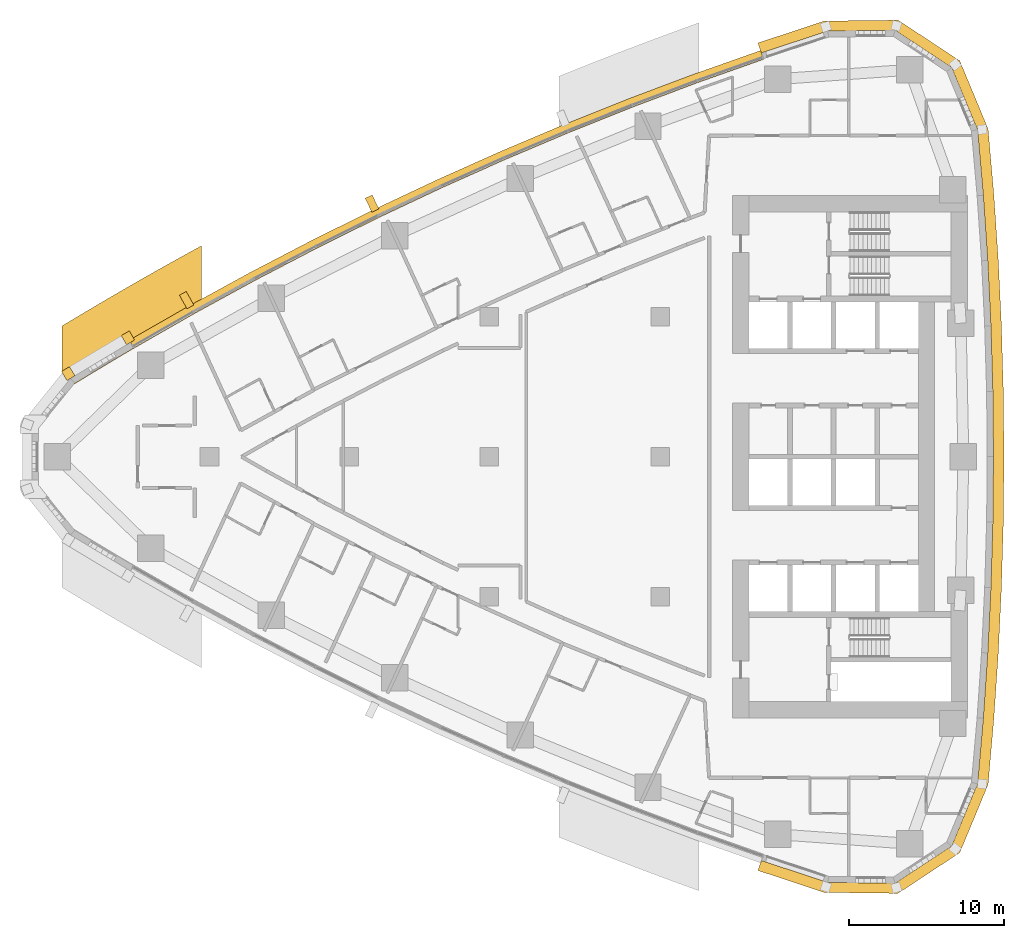
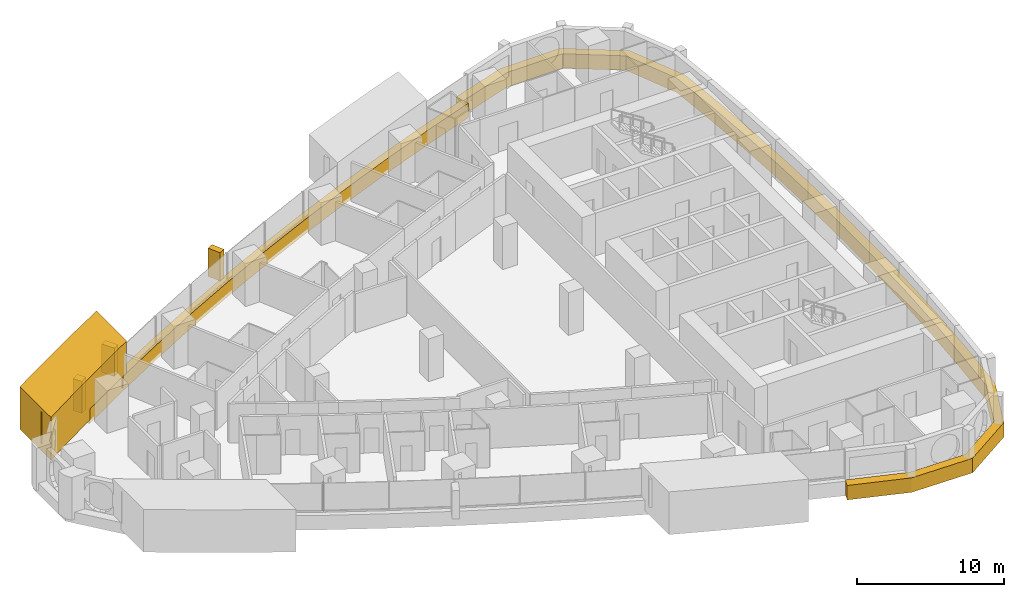
# One storey, part 16 of 17: 7 coverings.
"""IFC4 building model written with IfcOpenShell, lengths in metres."""

from ifc_helpers import new_model, si_unit, direction, frame, frame_2d, origin, place, context, subcontext, project, spatial, polyline, rectangle, outline, extrude, material, layer, layer_set, type_object, element, save


model = new_model("IFC4")

# Units and contexts
model_context = context("Model", 3, precision=1e-05, world=origin(), true_north=direction((0.0, 1.0)))
body_context = subcontext(model_context, "Body", "Model", "MODEL_VIEW")
ifc_project = project(units=[si_unit("LENGTHUNIT", "METRE"), si_unit("AREAUNIT", "SQUARE_METRE"), si_unit("VOLUMEUNIT", "CUBIC_METRE"), si_unit("PLANEANGLEUNIT", "RADIAN"), si_unit("MASSUNIT", "GRAM", prefix="KILO")], contexts=[model_context])

# Site, building, storey
site_placement = place(None, origin())
site = spatial("IfcSite", under=ifc_project, at=site_placement, CompositionType="ELEMENT")
building_placement = place(site_placement, origin())
building = spatial("IfcBuilding", under=site, at=building_placement, Name="Ostrand Prow Hotel Tower", CompositionType="ELEMENT")
storey_placement = place(building_placement, frame((0.0, 0.0, 99.10009765625)))
storey = spatial("IfcBuildingStorey", under=building, at=storey_placement, Name="L23", CompositionType="ELEMENT", Elevation=99.10009765625)

# Coverings
ifc_material_1 = material(Name="Bronze anodised aluminium cladding", Category="aluminium")
ifc_layer_1 = layer(ifc_material_1, 0.60009765625)
ifc_layer_set_1 = layer_set([ifc_layer_1], Name="Bronze anodised aluminium cladding")
covering_type_1 = type_object("IfcCoveringType", Name="Bronze spandrel band 1200x600", PredefinedType="CLADDING", material=ifc_layer_set_1)
covering_1_placement = place(storey_placement, frame((0.0, 0.0, -0.300048828125)))
element("IfcCovering", 1, at=covering_1_placement, inside=storey, type_object=covering_type_1, Name="Spandrel band N1", PredefinedType="CLADDING", context=body_context, shape_type="SweptSolid", body=[
    extrude(outline(polyline([(51.4501953125, 26.1328125), (47.231201171875, 24.64013671875), (43.042724609375, 23.0634765625), (38.88671875, 21.4033203125), (34.764892578125, 19.659912109375), (30.6787109375, 17.834716796875), (26.6298828125, 15.927734375), (22.620361328125, 13.940185546875), (18.651123046875, 11.872802734375), (14.72412109375, 9.726318359375), (10.841064453125, 7.50146484375), (11.144287109375, 6.98388671875), (15.01708984375, 9.20263671875), (18.93359375, 11.343505859375), (22.89208984375, 13.4052734375), (26.89111328125, 15.3876953125), (30.928955078125, 17.289306640625), (35.004150390625, 19.10986328125), (39.114990234375, 20.848388671875), (43.259765625, 22.504150390625), (47.43701171875, 24.076416015625), (51.644775390625, 25.56494140625), (51.4501953125, 26.1328125)])), origin(), (0.0, 0.0, 1.0), 1.199951171875),
])
covering_2_placement = place(storey_placement, frame((0.0, 0.0, -0.300048828125)))
element("IfcCovering", 2, at=covering_2_placement, inside=storey, type_object=covering_type_1, Name="Spandrel band back 1", PredefinedType="CLADDING", context=body_context, shape_type="SweptSolid", body=[
    extrude(outline(polyline([(51.28369140625, -26.619384765625), (55.54150390625, -28.0302734375), (60.2958984375, -28.09033203125), (64.267578125, -25.476806640625), (66.09326171875, -21.086669921875), (66.460693359375, -16.87890625), (66.74658203125, -12.664794921875), (66.950927734375, -8.44580078125), (67.073486328125, -4.2236328125), (67.114501953125, 0.0), (67.073486328125, 4.2236328125), (66.950927734375, 8.44580078125), (66.74658203125, 12.664794921875), (66.460693359375, 16.87890625), (66.09326171875, 21.086669921875), (64.267578125, 25.476806640625), (60.2958984375, 28.09033203125), (55.54150390625, 28.0302734375), (51.28369140625, 26.619384765625), (51.50390625, 25.97607421875), (55.7490234375, 27.3828125), (60.104736328125, 27.437744140625), (63.74365234375, 25.043212890625), (65.41650390625, 21.02099609375), (65.78271484375, 16.826416015625), (66.067626953125, 12.625244140625), (66.271484375, 8.41943359375), (66.393798828125, 4.21044921875), (66.434326171875, 0.0), (66.393798828125, -4.21044921875), (66.271484375, -8.41943359375), (66.067626953125, -12.625244140625), (65.78271484375, -16.826416015625), (65.41650390625, -21.02099609375), (63.74365234375, -25.043212890625), (60.104736328125, -27.437744140625), (55.7490234375, -27.3828125), (51.50390625, -25.97607421875), (51.28369140625, -26.619384765625)])), origin(), (0.0, 0.0, 1.0), 1.199951171875),
])
ifc_material_2 = material(Name="Limestone cladding", Category="masonry")
ifc_layer_2 = layer(ifc_material_2, 5.0)
ifc_layer_set_2 = layer_set([ifc_layer_2], Name="Limestone cladding")
covering_type_2 = type_object("IfcCoveringType", Name="Portal jamb pilaster limestone", PredefinedType="CLADDING", material=ifc_layer_set_2)
covering_3_placement = place(storey_placement, origin())
element("IfcCovering", 3, at=covering_3_placement, inside=storey, type_object=covering_type_2, Name="Portal jamb NA L23", PredefinedType="CLADDING", context=body_context, shape_type="SweptSolid", body=[
    extrude(outline(polyline([(6.5, 4.184326171875), (7.5, 4.80029296875), (8.5, 5.40869140625), (9.5, 6.01025390625), (10.5, 6.6044921875), (11.5, 7.19189453125), (12.5, 7.772216796875), (13.5, 8.345703125), (14.5, 8.912353515625), (15.5, 9.47216796875), (15.5, 13.581787109375), (14.5, 13.03369140625), (13.5, 12.478759765625), (12.5, 11.91748046875), (11.5, 11.349365234375), (10.5, 10.7744140625), (9.5, 10.19287109375), (8.5, 9.604248046875), (7.5, 9.0087890625), (6.5, 8.40625), (6.5, 4.184326171875)])), origin(), (0.0, 0.0, 1.0), 3.5498046875),
])
ifc_material_3 = material(Name="Limestone cladding", Category="masonry")
ifc_layer_3 = layer(ifc_material_3, 0.5)
ifc_layer_set_3 = layer_set([ifc_layer_3], Name="Limestone cladding")
covering_type_3 = type_object("IfcCoveringType", Name="Precast stone fin 500x900", PredefinedType="CLADDING", material=ifc_layer_set_3)
for number, where, z_axis, x_axis, name in (
    (4, (26.673583984375, 15.837646484375, 0.89990234375), (0.0, 0.0, 1.0), (-0.435261006131, 0.900304313298, 0.0), "Stone fin N 7"),
    (5, (14.77294921875, 9.638916015625, 0.89990234375), (0.0, 0.0, 1.0), (-0.48823165008, 0.872714074517, 0.0), "Stone fin N 10"),
):
    element("IfcCovering", number, at=place(storey_placement, frame(where, z_axis=z_axis, x_axis=x_axis)), inside=storey, type_object=covering_type_3, Name=name, PredefinedType="CLADDING", context=body_context, shape_type="SweptSolid", body=[
        extrude(rectangle(XDim=1.0, YDim=0.5, at=frame_2d((0.5, 0.0))), origin(), (0.0, 0.0, 1.0), 2.35009765625),
    ])
ifc_material_4 = material(Name="Limestone cladding", Category="masonry")
ifc_layer_4 = layer(ifc_material_4, 0.60009765625)
ifc_layer_set_4 = layer_set([ifc_layer_4], Name="Limestone cladding")
covering_type_4 = type_object("IfcCoveringType", Name="Precast stone prow rib 600x600", PredefinedType="CLADDING", material=ifc_layer_set_4)
covering_4_placement = place(storey_placement, frame((10.9248046875, 7.358642578125, 0.599853515625), z_axis=(0.0, 0.0, 1.0), x_axis=(-0.505811626043, 0.862643958397, 0.0)))
element("IfcCovering", 6, at=covering_4_placement, inside=storey, type_object=covering_type_4, Name="Stone prow rib 1", PredefinedType="CLADDING", context=body_context, shape_type="SweptSolid", body=[
    extrude(rectangle(XDim=0.68017578125, YDim=0.60009765625, at=frame_2d((0.340087890625, 0.0))), origin(), (0.0, 0.0, 1.0), 2.650146484375),
])
covering_5_placement = place(storey_placement, frame((7.089599609375, 5.058349609375, 0.599853515625), z_axis=(0.0, 0.0, 1.0), x_axis=(-0.522814637618, 0.852446394029, 0.0)))
element("IfcCovering", 7, at=covering_5_placement, inside=storey, type_object=covering_type_4, Name="Stone prow rib 2", PredefinedType="CLADDING", context=body_context, shape_type="SweptSolid", body=[
    extrude(rectangle(XDim=0.679931640625, YDim=0.60009765625, at=frame_2d((0.33984375, 0.0))), origin(), (0.0, 0.0, 1.0), 2.650146484375),
])

save(model, "model.ifc")
